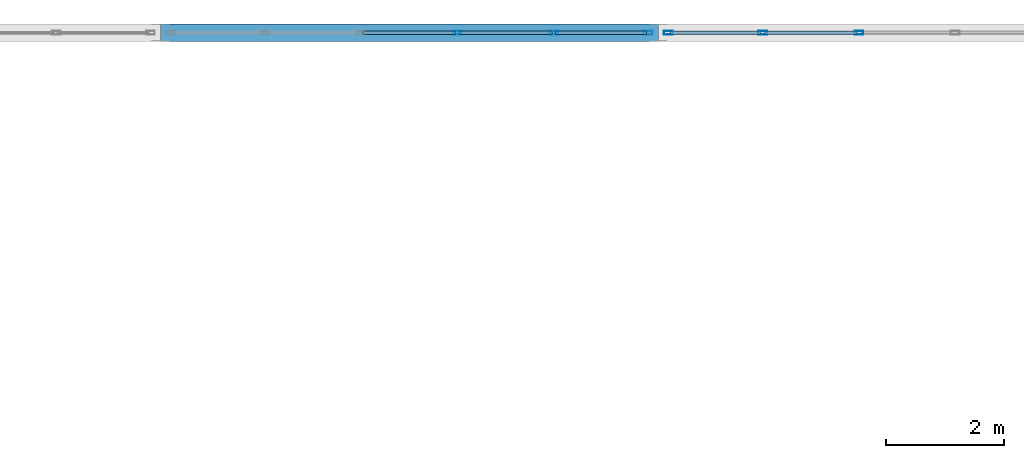
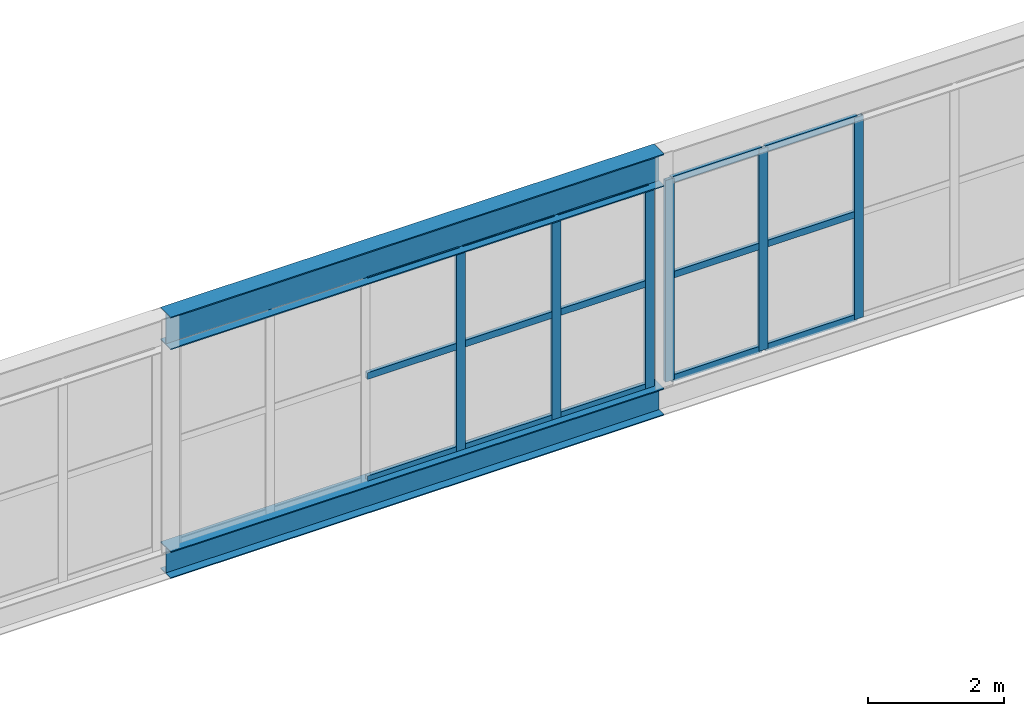
# One storey, part 172 of 218: 21 members, 2 beams, 2 elements without a shape of their own.
"""IFC4 building model written with IfcOpenShell, lengths in metres."""

from ifc_helpers import new_model, si_unit, direction, frame, origin, origin_2d, place, context, subcontext, project, spatial, hollow_rectangle, i_section, extrude, material, material_profile, profile_set, type_object, element, aggregate, save


model = new_model("IFC4")

# Units and contexts
model_context = context("Model", 3, precision=1e-05, world=origin(), true_north=direction((0.0, 1.0)))
body_context = subcontext(model_context, "Body", "Model", "MODEL_VIEW")
ifc_project = project(units=[si_unit("LENGTHUNIT", "METRE"), si_unit("AREAUNIT", "SQUARE_METRE"), si_unit("VOLUMEUNIT", "CUBIC_METRE"), si_unit("PLANEANGLEUNIT", "RADIAN"), si_unit("MASSUNIT", "GRAM", prefix="KILO")], contexts=[model_context])

# Site, building, storey
site_placement = place(None, origin())
site = spatial("IfcSite", under=ifc_project, at=site_placement, CompositionType="ELEMENT")
building_placement = place(site_placement, origin())
building = spatial("IfcBuilding", under=site, at=building_placement, Name="Kazenagashi Tramway Depot", CompositionType="ELEMENT")
storey_placement = place(building_placement, frame((0.0, 0.0, 6.0)))
storey = spatial("IfcBuildingStorey", under=building, at=storey_placement, Name="L02", CompositionType="ELEMENT", Elevation=6.0)

# Curtain wall, members
ifc_material_1 = material(Name="Anodised Aluminium and Low-E Glazing", Category="aluminium")
curtain_wall_type = type_object("IfcCurtainWallType", Name="CW-15", PredefinedType="USERDEFINED", material=ifc_material_1)
curtain_wall_1_placement = place(storey_placement, origin())
curtain_wall_1 = element("IfcCurtainWall", 1, at=curtain_wall_1_placement, inside=storey, type_object=curtain_wall_type, Name="Industrial Glazed Screen CW-15 CW-0084", ObjectType="GLAZED SCREEN", PredefinedType="USERDEFINED")
ifc_material_2 = material(Name="Anodised Aluminium", Category="aluminium")
ifc_material_profile_1 = material_profile(ifc_material_2, hollow_rectangle(XDim=0.06, YDim=0.15, WallThickness=0.004, at=origin_2d()), Name="RHS-150x60x4")
ifc_profile_set_1 = profile_set([ifc_material_profile_1], Name="Anodised Aluminium")
member_type_1 = type_object("IfcMemberType", Name="ML-01", PredefinedType="MULLION", material=ifc_profile_set_1)
member_1_placement = place(storey_placement, frame((150.612, 130.0, -0.02), z_axis=(0.0, 0.0, 1.0), x_axis=(0.0, 1.0, 0.0)))
member_1 = element("IfcMember", 2, at=member_1_placement, type_object=member_type_1, Name="CW-15 mullion 4", PredefinedType="MULLION", context=body_context, shape_type="SweptSolid", body=[
    extrude(hollow_rectangle(XDim=0.06, YDim=0.15, WallThickness=0.004, at=origin_2d()), origin(), (0.0, 0.0, 1.0), 3.632),
])
member_2_placement = place(storey_placement, frame((152.236, 130.0, -0.02), z_axis=(0.0, 0.0, 1.0), x_axis=(0.0, 1.0, 0.0)))
member_2 = element("IfcMember", 3, at=member_2_placement, type_object=member_type_1, Name="CW-15 mullion 5", PredefinedType="MULLION", context=body_context, shape_type="SweptSolid", body=[
    extrude(hollow_rectangle(XDim=0.06, YDim=0.15, WallThickness=0.004, at=origin_2d()), origin(), (0.0, 0.0, 1.0), 3.632),
])
member_3_placement = place(storey_placement, frame((153.83, 130.0, -0.02), z_axis=(0.0, 0.0, 1.0), x_axis=(0.0, 1.0, 0.0)))
member_3 = element("IfcMember", 4, at=member_3_placement, type_object=member_type_1, Name="CW-15 mullion 6", PredefinedType="MULLION", context=body_context, shape_type="SweptSolid", body=[
    extrude(hollow_rectangle(XDim=0.06, YDim=0.15, WallThickness=0.004, at=origin_2d()), origin(), (0.0, 0.0, 1.0), 3.632),
])

curtain_wall_2_placement = place(storey_placement, origin())
curtain_wall_2 = element("IfcCurtainWall", 5, at=curtain_wall_2_placement, inside=storey, type_object=curtain_wall_type, Name="Industrial Glazed Screen CW-15 CW-0087", ObjectType="GLAZED SCREEN", PredefinedType="USERDEFINED")
member_4_placement = place(storey_placement, frame((154.17, 130.0, -0.02), z_axis=(0.0, 0.0, 1.0), x_axis=(0.0, 1.0, 0.0)))
member_4 = element("IfcMember", 6, at=member_4_placement, type_object=member_type_1, Name="CW-15 mullion 1", PredefinedType="MULLION", context=body_context, shape_type="SweptSolid", body=[
    extrude(hollow_rectangle(XDim=0.06, YDim=0.15, WallThickness=0.004, at=origin_2d()), origin(), (0.0, 0.0, 1.0), 3.632),
])
member_5_placement = place(storey_placement, frame((155.764, 130.0, -0.02), z_axis=(0.0, 0.0, 1.0), x_axis=(0.0, 1.0, 0.0)))
member_5 = element("IfcMember", 7, at=member_5_placement, type_object=member_type_1, Name="CW-15 mullion 2", PredefinedType="MULLION", context=body_context, shape_type="SweptSolid", body=[
    extrude(hollow_rectangle(XDim=0.06, YDim=0.15, WallThickness=0.004, at=origin_2d()), origin(), (0.0, 0.0, 1.0), 3.632),
])
member_6_placement = place(storey_placement, frame((157.388, 130.0, -0.02), z_axis=(0.0, 0.0, 1.0), x_axis=(0.0, 1.0, 0.0)))
member_6 = element("IfcMember", 8, at=member_6_placement, type_object=member_type_1, Name="CW-15 mullion 3", PredefinedType="MULLION", context=body_context, shape_type="SweptSolid", body=[
    extrude(hollow_rectangle(XDim=0.06, YDim=0.15, WallThickness=0.004, at=origin_2d()), origin(), (0.0, 0.0, 1.0), 3.632),
])

# Beams
ifc_material_3 = material(Name="Steel SN490B", Category="steel")
ifc_material_profile_2 = material_profile(ifc_material_3, i_section(OverallWidth=0.3, OverallDepth=0.588, WebThickness=0.012, FlangeThickness=0.02, at=origin_2d()), Name="H-588x300x12x20")
ifc_profile_set_2 = profile_set([ifc_material_profile_2], Name="Steel SN490B")
beam_type_1 = type_object("IfcBeamType", Name="SP-01", PredefinedType="SPANDREL", material=ifc_profile_set_2)
beam_1_placement = place(storey_placement, frame((145.6, 130.0, 3.906), z_axis=(1.0, 0.0, 0.0), x_axis=(0.0, 1.0, 0.0)))
element("IfcBeam", 9, at=beam_1_placement, inside=storey, type_object=beam_type_1, Name="Beam SP-01 BM-1892", PredefinedType="SPANDREL", context=body_context, shape_type="SweptSolid", body=[
    extrude(i_section(OverallWidth=0.3, OverallDepth=0.588, WebThickness=0.012, FlangeThickness=0.02, at=origin_2d()), origin(), (0.0, 0.0, 1.0), 8.4),
])
ifc_material_profile_3 = material_profile(ifc_material_3, i_section(OverallWidth=0.3, OverallDepth=0.488, WebThickness=0.011, FlangeThickness=0.018, at=origin_2d()), Name="H-488x300x11x18")
ifc_profile_set_3 = profile_set([ifc_material_profile_3], Name="Steel SN490B")
beam_type_2 = type_object("IfcBeamType", Name="SP-02", PredefinedType="SPANDREL", material=ifc_profile_set_3)
beam_2_placement = place(storey_placement, frame((145.6, 130.0, -0.264), z_axis=(1.0, 0.0, 0.0), x_axis=(0.0, 1.0, 0.0)))
element("IfcBeam", 10, at=beam_2_placement, inside=storey, type_object=beam_type_2, Name="Beam SP-02 BM-1836", PredefinedType="SPANDREL", context=body_context, shape_type="SweptSolid", body=[
    extrude(i_section(OverallWidth=0.3, OverallDepth=0.488, WebThickness=0.011, FlangeThickness=0.018, at=origin_2d()), origin(), (0.0, 0.0, 1.0), 8.4),
])

# Member
ifc_material_profile_4 = material_profile(ifc_material_2, hollow_rectangle(XDim=0.06, YDim=0.12, WallThickness=0.004, at=origin_2d()), Name="RHS-120x60x4")
ifc_profile_set_4 = profile_set([ifc_material_profile_4], Name="Anodised Aluminium")
member_type_2 = type_object("IfcMemberType", Name="TR-01", PredefinedType="USERDEFINED", material=ifc_profile_set_4)
member_7_placement = place(storey_placement, frame((149.018, 130.0, 0.01), z_axis=(1.0, 0.0, 0.0), x_axis=(0.0, 1.0, 0.0)))
member_7 = element("IfcMember", 11, at=member_7_placement, type_object=member_type_2, Name="CW-15 transom 3.1", ObjectType="TRANSOM", PredefinedType="USERDEFINED", context=body_context, shape_type="SweptSolid", body=[
    extrude(hollow_rectangle(XDim=0.06, YDim=0.12, WallThickness=0.004, at=origin_2d()), origin(), (0.0, 0.0, 1.0), 1.564),
])

member_8_placement = place(storey_placement, frame((149.018, 130.0, 1.869), z_axis=(1.0, 0.0, 0.0), x_axis=(0.0, 1.0, 0.0)))
member_8 = element("IfcMember", 12, at=member_8_placement, type_object=member_type_2, Name="CW-15 transom 3.2", ObjectType="TRANSOM", PredefinedType="USERDEFINED", context=body_context, shape_type="SweptSolid", body=[
    extrude(hollow_rectangle(XDim=0.06, YDim=0.12, WallThickness=0.004, at=origin_2d()), origin(), (0.0, 0.0, 1.0), 1.564),
])

member_9_placement = place(storey_placement, frame((149.018, 130.0, 3.582), z_axis=(1.0, 0.0, 0.0), x_axis=(0.0, 1.0, 0.0)))
member_9 = element("IfcMember", 13, at=member_9_placement, type_object=member_type_2, Name="CW-15 transom 3.3", ObjectType="TRANSOM", PredefinedType="USERDEFINED", context=body_context, shape_type="SweptSolid", body=[
    extrude(hollow_rectangle(XDim=0.06, YDim=0.12, WallThickness=0.004, at=origin_2d()), origin(), (0.0, 0.0, 1.0), 1.564),
])

member_10_placement = place(storey_placement, frame((150.642, 130.0, 0.01), z_axis=(1.0, 0.0, 0.0), x_axis=(0.0, 1.0, 0.0)))
member_10 = element("IfcMember", 14, at=member_10_placement, type_object=member_type_2, Name="CW-15 transom 4.1", ObjectType="TRANSOM", PredefinedType="USERDEFINED", context=body_context, shape_type="SweptSolid", body=[
    extrude(hollow_rectangle(XDim=0.06, YDim=0.12, WallThickness=0.004, at=origin_2d()), origin(), (0.0, 0.0, 1.0), 1.564),
])

member_11_placement = place(storey_placement, frame((150.642, 130.0, 1.869), z_axis=(1.0, 0.0, 0.0), x_axis=(0.0, 1.0, 0.0)))
member_11 = element("IfcMember", 15, at=member_11_placement, type_object=member_type_2, Name="CW-15 transom 4.2", ObjectType="TRANSOM", PredefinedType="USERDEFINED", context=body_context, shape_type="SweptSolid", body=[
    extrude(hollow_rectangle(XDim=0.06, YDim=0.12, WallThickness=0.004, at=origin_2d()), origin(), (0.0, 0.0, 1.0), 1.564),
])

member_12_placement = place(storey_placement, frame((150.642, 130.0, 3.582), z_axis=(1.0, 0.0, 0.0), x_axis=(0.0, 1.0, 0.0)))
member_12 = element("IfcMember", 16, at=member_12_placement, type_object=member_type_2, Name="CW-15 transom 4.3", ObjectType="TRANSOM", PredefinedType="USERDEFINED", context=body_context, shape_type="SweptSolid", body=[
    extrude(hollow_rectangle(XDim=0.06, YDim=0.12, WallThickness=0.004, at=origin_2d()), origin(), (0.0, 0.0, 1.0), 1.564),
])

member_13_placement = place(storey_placement, frame((152.266, 130.0, 0.01), z_axis=(1.0, 0.0, 0.0), x_axis=(0.0, 1.0, 0.0)))
member_13 = element("IfcMember", 17, at=member_13_placement, type_object=member_type_2, Name="CW-15 transom 5.1", ObjectType="TRANSOM", PredefinedType="USERDEFINED", context=body_context, shape_type="SweptSolid", body=[
    extrude(hollow_rectangle(XDim=0.06, YDim=0.12, WallThickness=0.004, at=origin_2d()), origin(), (0.0, 0.0, 1.0), 1.534),
])

member_14_placement = place(storey_placement, frame((152.266, 130.0, 1.869), z_axis=(1.0, 0.0, 0.0), x_axis=(0.0, 1.0, 0.0)))
member_14 = element("IfcMember", 18, at=member_14_placement, type_object=member_type_2, Name="CW-15 transom 5.2", ObjectType="TRANSOM", PredefinedType="USERDEFINED", context=body_context, shape_type="SweptSolid", body=[
    extrude(hollow_rectangle(XDim=0.06, YDim=0.12, WallThickness=0.004, at=origin_2d()), origin(), (0.0, 0.0, 1.0), 1.534),
])

member_15_placement = place(storey_placement, frame((152.266, 130.0, 3.582), z_axis=(1.0, 0.0, 0.0), x_axis=(0.0, 1.0, 0.0)))
member_15 = element("IfcMember", 19, at=member_15_placement, type_object=member_type_2, Name="CW-15 transom 5.3", ObjectType="TRANSOM", PredefinedType="USERDEFINED", context=body_context, shape_type="SweptSolid", body=[
    extrude(hollow_rectangle(XDim=0.06, YDim=0.12, WallThickness=0.004, at=origin_2d()), origin(), (0.0, 0.0, 1.0), 1.534),
])

aggregate(curtain_wall_1, [member_1, member_2, member_3, member_7, member_8, member_9, member_10, member_11, member_12, member_13, member_14, member_15])

member_16_placement = place(storey_placement, frame((154.2, 130.0, 0.01), z_axis=(1.0, 0.0, 0.0), x_axis=(0.0, 1.0, 0.0)))
member_16 = element("IfcMember", 20, at=member_16_placement, type_object=member_type_2, Name="CW-15 transom 1.1", ObjectType="TRANSOM", PredefinedType="USERDEFINED", context=body_context, shape_type="SweptSolid", body=[
    extrude(hollow_rectangle(XDim=0.06, YDim=0.12, WallThickness=0.004, at=origin_2d()), origin(), (0.0, 0.0, 1.0), 1.534),
])

member_17_placement = place(storey_placement, frame((154.2, 130.0, 1.869), z_axis=(1.0, 0.0, 0.0), x_axis=(0.0, 1.0, 0.0)))
member_17 = element("IfcMember", 21, at=member_17_placement, type_object=member_type_2, Name="CW-15 transom 1.2", ObjectType="TRANSOM", PredefinedType="USERDEFINED", context=body_context, shape_type="SweptSolid", body=[
    extrude(hollow_rectangle(XDim=0.06, YDim=0.12, WallThickness=0.004, at=origin_2d()), origin(), (0.0, 0.0, 1.0), 1.534),
])

member_18_placement = place(storey_placement, frame((154.2, 130.0, 3.582), z_axis=(1.0, 0.0, 0.0), x_axis=(0.0, 1.0, 0.0)))
member_18 = element("IfcMember", 22, at=member_18_placement, type_object=member_type_2, Name="CW-15 transom 1.3", ObjectType="TRANSOM", PredefinedType="USERDEFINED", context=body_context, shape_type="SweptSolid", body=[
    extrude(hollow_rectangle(XDim=0.06, YDim=0.12, WallThickness=0.004, at=origin_2d()), origin(), (0.0, 0.0, 1.0), 1.534),
])

member_19_placement = place(storey_placement, frame((155.794, 130.0, 0.01), z_axis=(1.0, 0.0, 0.0), x_axis=(0.0, 1.0, 0.0)))
member_19 = element("IfcMember", 23, at=member_19_placement, type_object=member_type_2, Name="CW-15 transom 2.1", ObjectType="TRANSOM", PredefinedType="USERDEFINED", context=body_context, shape_type="SweptSolid", body=[
    extrude(hollow_rectangle(XDim=0.06, YDim=0.12, WallThickness=0.004, at=origin_2d()), origin(), (0.0, 0.0, 1.0), 1.564),
])

member_20_placement = place(storey_placement, frame((155.794, 130.0, 1.869), z_axis=(1.0, 0.0, 0.0), x_axis=(0.0, 1.0, 0.0)))
member_20 = element("IfcMember", 24, at=member_20_placement, type_object=member_type_2, Name="CW-15 transom 2.2", ObjectType="TRANSOM", PredefinedType="USERDEFINED", context=body_context, shape_type="SweptSolid", body=[
    extrude(hollow_rectangle(XDim=0.06, YDim=0.12, WallThickness=0.004, at=origin_2d()), origin(), (0.0, 0.0, 1.0), 1.564),
])

member_21_placement = place(storey_placement, frame((155.794, 130.0, 3.582), z_axis=(1.0, 0.0, 0.0), x_axis=(0.0, 1.0, 0.0)))
member_21 = element("IfcMember", 25, at=member_21_placement, type_object=member_type_2, Name="CW-15 transom 2.3", ObjectType="TRANSOM", PredefinedType="USERDEFINED", context=body_context, shape_type="SweptSolid", body=[
    extrude(hollow_rectangle(XDim=0.06, YDim=0.12, WallThickness=0.004, at=origin_2d()), origin(), (0.0, 0.0, 1.0), 1.564),
])

aggregate(curtain_wall_2, [member_4, member_5, member_6, member_16, member_17, member_18, member_19, member_20, member_21])

save(model, "model.ifc")
